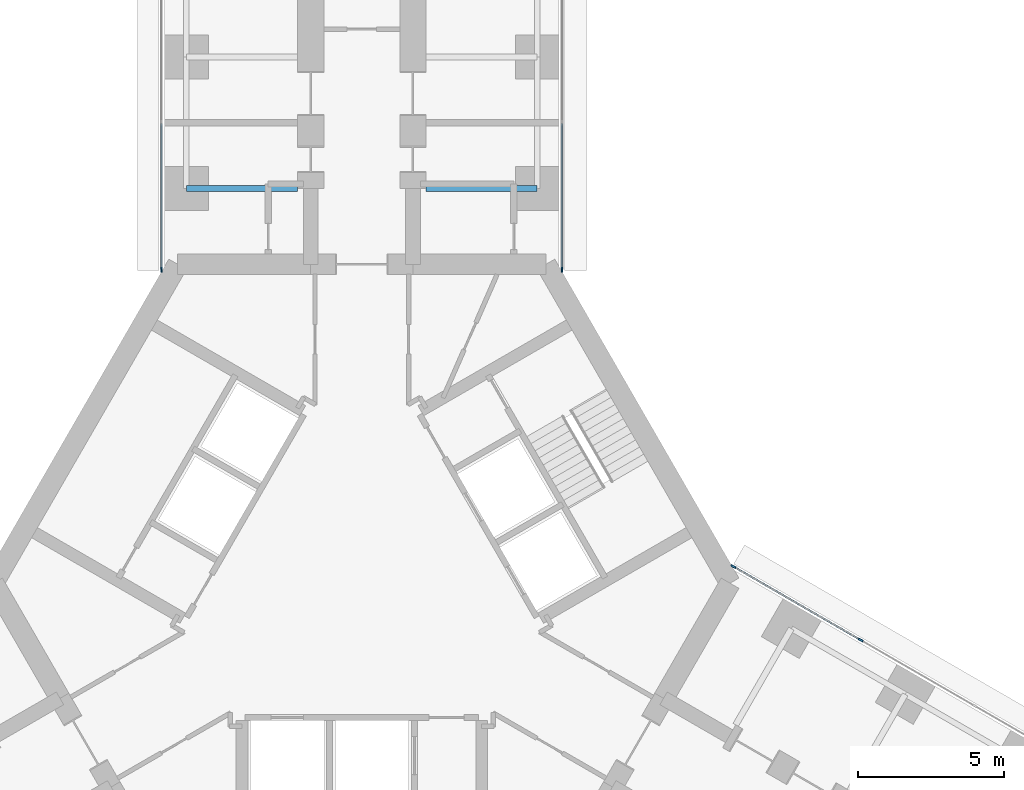
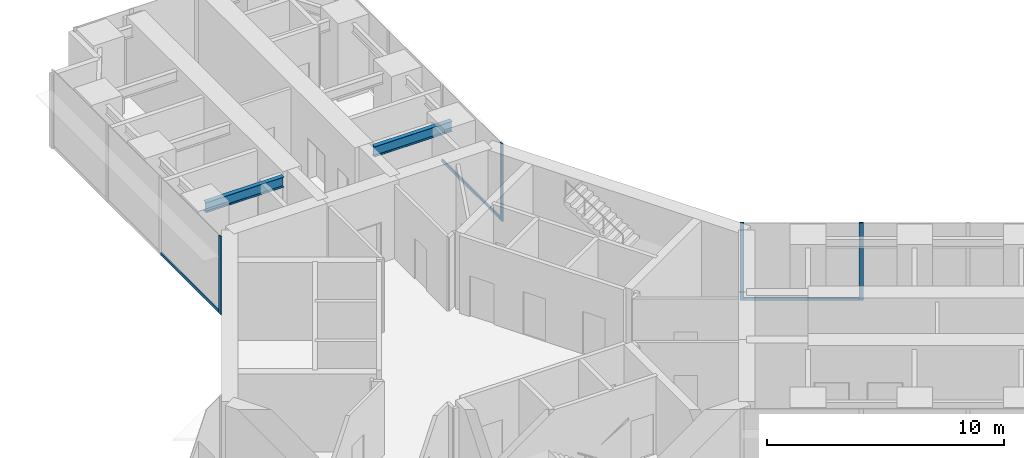
# One storey, part 11 of 23: 7 members, 2 beams, 3 elements without a shape of their own.
"""IFC4 building model written with IfcOpenShell, lengths in metres."""

from ifc_helpers import new_model, si_unit, direction, frame, origin, origin_2d, place, context, subcontext, project, spatial, rectangle, i_section, extrude, material, material_profile, profile_set, type_object, element, aggregate, save


model = new_model("IFC4")

# Units and contexts
model_context = context("Model", 3, precision=1e-05, world=origin(), true_north=direction((0.0, 1.0)))
body_context = subcontext(model_context, "Body", "Model", "MODEL_VIEW")
ifc_project = project(units=[si_unit("LENGTHUNIT", "METRE"), si_unit("AREAUNIT", "SQUARE_METRE"), si_unit("VOLUMEUNIT", "CUBIC_METRE"), si_unit("PLANEANGLEUNIT", "RADIAN"), si_unit("MASSUNIT", "GRAM", prefix="KILO")], contexts=[model_context])

# Site, building, storey
site_placement = place(None, origin())
site = spatial("IfcSite", under=ifc_project, at=site_placement, CompositionType="ELEMENT")
building_placement = place(site_placement, origin())
building = spatial("IfcBuilding", under=site, at=building_placement, Name="Upepo Twin Towers", CompositionType="ELEMENT")
storey_placement = place(building_placement, frame((0.0, 0.0, 24.5)))
storey = spatial("IfcBuildingStorey", under=building, at=storey_placement, Name="L05", CompositionType="ELEMENT", Elevation=24.5)

# Beams
ifc_material_1 = material(Name="Steel S355", Category="steel")
ifc_material_profile_1 = material_profile(ifc_material_1, i_section(OverallWidth=0.209228515625, OverallDepth=0.533203125, WebThickness=0.010009765625, FlangeThickness=0.015625, FilletRadius=0.0126953125, at=origin_2d()), Name="UB 533x210x92")
ifc_profile_set_1 = profile_set([ifc_material_profile_1], Name="Steel S355")
beam_type = type_object("IfcBeamType", Name="Beam UB 533x210x92", PredefinedType="BEAM", material=ifc_profile_set_1)
for number, where, z_axis, x_axis, name in (
    (1, (52.5, -4.5, 3.533447265625), (1.0, 0.0, 0.0), (0.0, 1.0, 0.0), "T2 girder AL at 13.5"),
    (2, (64.5, -4.5, 3.533447265625), (-1.0, 0.0, 0.0), (0.0, -1.0, 0.0), "T2 girder AR at 13.5"),
):
    element("IfcBeam", number, at=place(storey_placement, frame(where, z_axis=z_axis, x_axis=x_axis)), inside=storey, type_object=beam_type, Name=name, PredefinedType="BEAM", context=body_context, shape_type="SweptSolid", body=[
        extrude(i_section(OverallWidth=0.209228515625, OverallDepth=0.533203125, WebThickness=0.010009765625, FlangeThickness=0.015625, FilletRadius=0.0126953125, at=origin_2d()), origin(), (0.0, 0.0, 1.0), 3.800048828125),
    ])

# Curtain wall, member
ifc_material_2 = material(Name="Aluminium and fritted glass", Category="aluminium")
curtain_wall_type = type_object("IfcCurtainWallType", Name="Tower curtain wall TW1, fritted glass", PredefinedType="NOTDEFINED", material=ifc_material_2)
curtain_wall_1_placement = place(storey_placement, origin())
curtain_wall_1 = element("IfcCurtainWall", 3, at=curtain_wall_1_placement, inside=storey, type_object=curtain_wall_type, Name="T2 L05 wing A flank L curtain wall", PredefinedType="NOTDEFINED")
ifc_material_3 = material(Name="Aluminium mullion", Category="aluminium")
ifc_material_profile_2 = material_profile(ifc_material_3, rectangle(XDim=0.06494140625, YDim=0.179931640625, at=origin_2d()), Name="MULLION 65x180")
ifc_profile_set_2 = profile_set([ifc_material_profile_2], Name="Aluminium mullion")
member_type_1 = type_object("IfcMemberType", Name="Mullion 65x180 TW1", PredefinedType="MULLION", material=ifc_profile_set_2)
member_1_placement = place(storey_placement, frame((51.64990234375, -7.2802734375, 0.0), z_axis=(0.0, 0.0, 1.0), x_axis=(-1.0, 0.0, 0.0)))
member_1 = element("IfcMember", 4, at=member_1_placement, type_object=member_type_1, Name="T2 L05 wing A flank L curtain wall mullion 1", PredefinedType="MULLION", context=body_context, shape_type="SweptSolid", body=[
    extrude(rectangle(XDim=0.06494140625, YDim=0.179931640625, at=origin_2d()), origin(), (0.0, 0.0, 1.0), 4.0),
])

curtain_wall_2_placement = place(storey_placement, origin())
curtain_wall_2 = element("IfcCurtainWall", 5, at=curtain_wall_2_placement, inside=storey, type_object=curtain_wall_type, Name="T2 L05 wing A flank R curtain wall", PredefinedType="NOTDEFINED")
member_2_placement = place(storey_placement, frame((65.35009765625, -7.2802734375, 0.0), z_axis=(0.0, 0.0, 1.0), x_axis=(1.0, 0.0, 0.0)))
member_2 = element("IfcMember", 6, at=member_2_placement, type_object=member_type_1, Name="T2 L05 wing A flank R curtain wall mullion 4", PredefinedType="MULLION", context=body_context, shape_type="SweptSolid", body=[
    extrude(rectangle(XDim=0.06494140625, YDim=0.179931640625, at=origin_2d()), origin(), (0.0, 0.0, 1.0), 4.0),
])

# Curtain wall, members
curtain_wall_3_placement = place(storey_placement, origin())
curtain_wall_3 = element("IfcCurtainWall", 7, at=curtain_wall_3_placement, inside=storey, type_object=curtain_wall_type, Name="T2 L05 wing C flank L curtain wall", PredefinedType="NOTDEFINED")
member_3_placement = place(storey_placement, frame((71.20849609375, -17.427490234375, 0.0), z_axis=(0.0, 0.0, 1.0), x_axis=(0.500000024426, 0.866025389682, 0.0)))
member_3 = element("IfcMember", 8, at=member_3_placement, type_object=member_type_1, Name="T2 L05 wing C flank L curtain wall mullion 1", PredefinedType="MULLION", context=body_context, shape_type="SweptSolid", body=[
    extrude(rectangle(XDim=0.06494140625, YDim=0.179931640625, at=origin_2d()), origin(), (0.0, 0.0, 1.0), 4.0),
])
member_4_placement = place(storey_placement, frame((75.56494140625, -19.942626953125, 0.0), z_axis=(0.0, 0.0, 1.0), x_axis=(0.500000024426, 0.866025389682, 0.0)))
member_4 = element("IfcMember", 9, at=member_4_placement, type_object=member_type_1, Name="T2 L05 wing C flank L curtain wall mullion 2", PredefinedType="MULLION", context=body_context, shape_type="SweptSolid", body=[
    extrude(rectangle(XDim=0.06494140625, YDim=0.179931640625, at=origin_2d()), origin(), (0.0, 0.0, 1.0), 4.0),
])

# Member
ifc_material_4 = material(Name="Aluminium transom", Category="aluminium")
ifc_material_profile_3 = material_profile(ifc_material_4, rectangle(XDim=0.06494140625, YDim=0.14990234375, at=origin_2d()), Name="TRANSOM 65x150")
ifc_profile_set_3 = profile_set([ifc_material_profile_3], Name="Aluminium transom")
member_type_2 = type_object("IfcMemberType", Name="Transom 65x150 TW1", PredefinedType="USERDEFINED", material=ifc_profile_set_3)
member_5_placement = place(storey_placement, frame((51.64990234375, -7.247802734375, 0.074951171875), z_axis=(0.0, 1.0, 0.0), x_axis=(-1.0, 0.0, 0.0)))
member_5 = element("IfcMember", 10, at=member_5_placement, type_object=member_type_2, Name="T2 L05 wing A flank L curtain wall transom 1", ObjectType="TRANSOM", PredefinedType="USERDEFINED", context=body_context, shape_type="SweptSolid", body=[
    extrude(rectangle(XDim=0.06494140625, YDim=0.14990234375, at=origin_2d()), origin(), (0.0, 0.0, 1.0), 4.96533203125),
])

aggregate(curtain_wall_1, [member_1, member_5])

member_6_placement = place(storey_placement, frame((65.35009765625, -2.282470703125, 0.074951171875), z_axis=(0.0, -1.0, 0.0), x_axis=(1.0, 0.0, 0.0)))
member_6 = element("IfcMember", 11, at=member_6_placement, type_object=member_type_2, Name="T2 L05 wing A flank R curtain wall transom 3", ObjectType="TRANSOM", PredefinedType="USERDEFINED", context=body_context, shape_type="SweptSolid", body=[
    extrude(rectangle(XDim=0.06494140625, YDim=0.14990234375, at=origin_2d()), origin(), (0.0, 0.0, 1.0), 4.96533203125),
])

aggregate(curtain_wall_2, [member_2, member_6])

member_7_placement = place(storey_placement, frame((71.236572265625, -17.44384765625, 0.074951171875), z_axis=(0.866034933967, -0.499983492876, 0.0), x_axis=(0.499983492876, 0.866034933967, 0.0)))
member_7 = element("IfcMember", 12, at=member_7_placement, type_object=member_type_2, Name="T2 L05 wing C flank L curtain wall transom 1", ObjectType="TRANSOM", PredefinedType="USERDEFINED", context=body_context, shape_type="SweptSolid", body=[
    extrude(rectangle(XDim=0.06494140625, YDim=0.14990234375, at=origin_2d()), origin(), (0.0, 0.0, 1.0), 4.965576171875),
])

aggregate(curtain_wall_3, [member_3, member_4, member_7])

save(model, "model.ifc")
